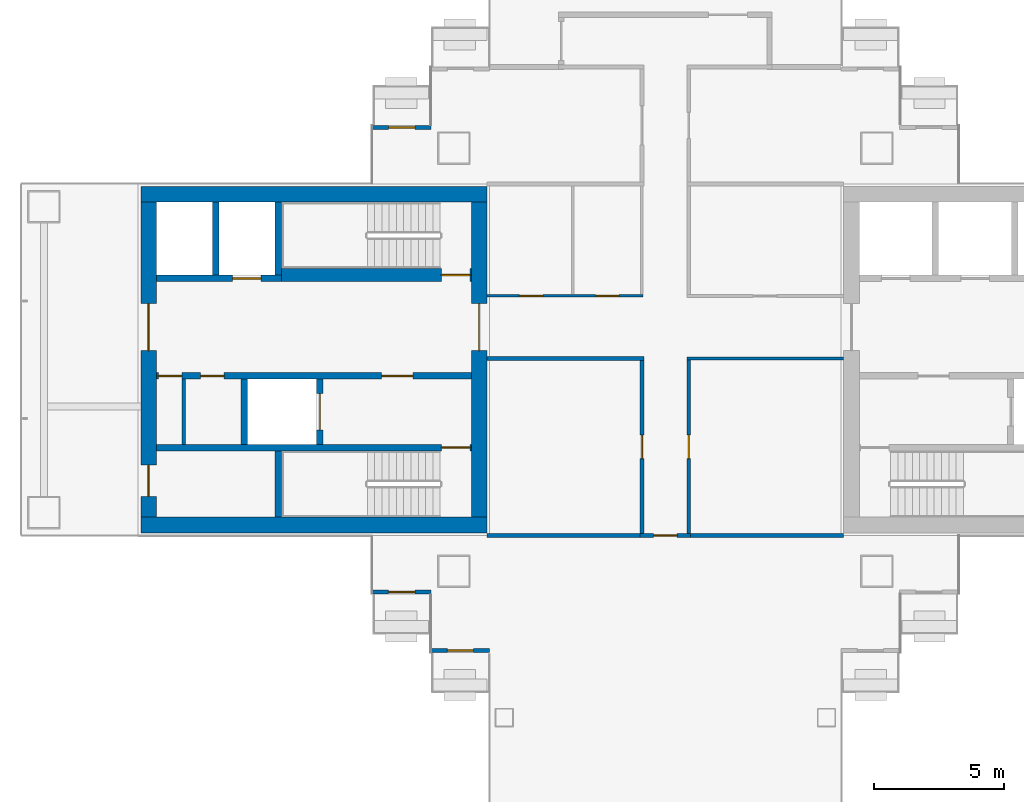
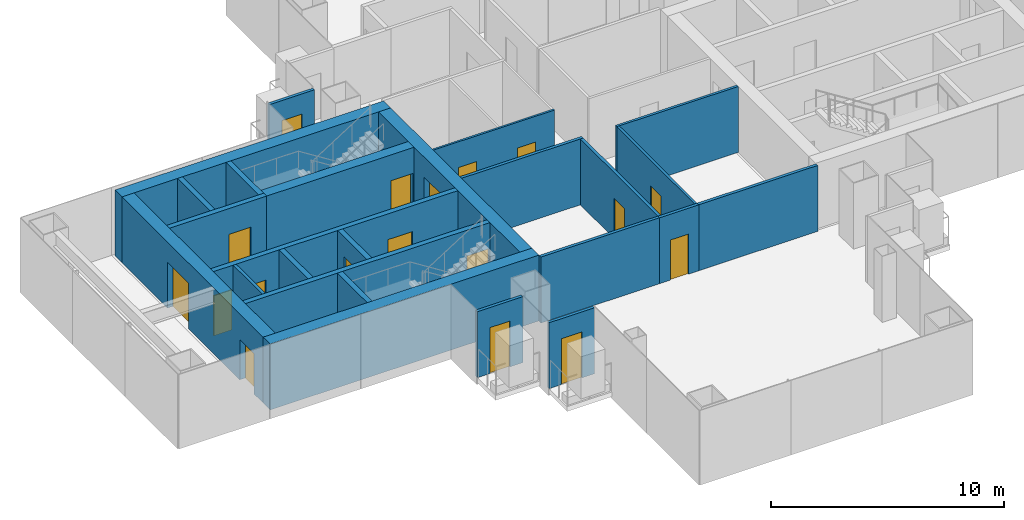
# One storey, part 12 of 20: 25 walls, 18 doors, 18 openings.
"""IFC4 building model written with IfcOpenShell, lengths in metres."""

from ifc_helpers import new_model, si_unit, direction, frame, frame_2d, origin, place, context, subcontext, project, spatial, rectangle, extrude, material, layer, layer_set, type_object, element, fill, save


model = new_model("IFC4")

# Units and contexts
model_context = context("Model", 3, precision=1e-05, world=origin(), true_north=direction((0.0, 1.0)))
body_context = subcontext(model_context, "Body", "Model", "MODEL_VIEW")
ifc_project = project(units=[si_unit("LENGTHUNIT", "METRE"), si_unit("AREAUNIT", "SQUARE_METRE"), si_unit("VOLUMEUNIT", "CUBIC_METRE"), si_unit("PLANEANGLEUNIT", "RADIAN"), si_unit("MASSUNIT", "GRAM", prefix="KILO")], contexts=[model_context])

# Site, building, storey
site_placement = place(None, origin())
site = spatial("IfcSite", under=ifc_project, at=site_placement, CompositionType="ELEMENT")
building_placement = place(site_placement, origin())
building = spatial("IfcBuilding", under=site, at=building_placement, Name="Shamsa Quay Exchange Towers", CompositionType="ELEMENT")
storey_placement = place(building_placement, frame((0.0, 0.0, 124.800048828125)))
storey = spatial("IfcBuildingStorey", under=building, at=storey_placement, Name="L29", CompositionType="ELEMENT", Elevation=124.800048828125)

# Wall, opening, door
ifc_material_1 = material(Name="Aluminium EN AW-6063 T6, black anodised, with black enamelled glass infill", Category="aluminium")
ifc_layer_1 = layer(ifc_material_1, 0.14990234375)
ifc_layer_set_1 = layer_set([ifc_layer_1], Name="BALCONY DOOR BAY WALL 150")
wall_type_1 = type_object("IfcWallType", Name="BALCONY DOOR BAY WALL 150", PredefinedType="SOLIDWALL", material=ifc_layer_set_1)
wall_1_placement = place(storey_placement, frame((-45.0, 8.925048828125, 0.0)))
wall_1 = element("IfcWall", 1, at=wall_1_placement, inside=storey, type_object=wall_type_1, Name="Door bay T1-PKWN L29", PredefinedType="SOLIDWALL", context=body_context, shape_type="SweptSolid", body=[
    extrude(rectangle(XDim=2.25, YDim=0.14990234375, at=frame_2d((1.125, 0.0))), origin(), (0.0, 0.0, 1.0), 3.449951171875),
])
opening_1_placement = place(wall_1_placement, frame((0.625, 0.0, 0.0)))
opening_1 = element("IfcOpeningElement", 2, at=opening_1_placement, cuts=wall_1, Name="Opening XD190", PredefinedType="OPENING", context=body_context, shape_type="SweptSolid", body=[
    extrude(rectangle(XDim=1.0, YDim=2.39990234375, at=frame_2d((0.5, 1.199951171875))), frame((0.0, 0.0849609375, 0.0), z_axis=(0.0, -1.0, 0.0), x_axis=(1.0, 0.0, 0.0)), (0.0, 0.0, 1.0), 0.169921875),
])
ifc_material_2 = material(Name="Aluminium EN AW-6063 T6, black anodised, with laminated glass leaf", Category="aluminium")
door_type_1 = type_object("IfcDoorType", Name="BALCONY DOOR 1000x2400", OperationType="SINGLE_SWING_LEFT", PredefinedType="DOOR", material=ifc_material_2)
door_1_placement = place(opening_1_placement, origin())
door_1 = element("IfcDoor", 3, at=door_1_placement, inside=storey, type_object=door_type_1, Name="Balcony door T1-PKWN L29", OperationType="SINGLE_SWING_RIGHT", OverallHeight=2.39990234375, OverallWidth=1.0, PredefinedType="DOOR", context=body_context, shape_type="SweptSolid", body=[
    extrude(rectangle(XDim=1.0, YDim=2.39990234375, at=frame_2d((0.5, 1.199951171875))), frame((0.0, 0.02490234375, 0.0), z_axis=(0.0, -1.0, 0.0), x_axis=(1.0, 0.0, 0.0)), (0.0, 0.0, 1.0), 0.050048828125),
])
fill(opening_1, door_1)

wall_2_placement = place(storey_placement, frame((-42.75, -8.925048828125, 0.0), z_axis=(0.0, 0.0, 1.0), x_axis=(-1.0, 0.0, 0.0)))
wall_2 = element("IfcWall", 4, at=wall_2_placement, inside=storey, type_object=wall_type_1, Name="Door bay T1-PKWS L29", PredefinedType="SOLIDWALL", context=body_context, shape_type="SweptSolid", body=[
    extrude(rectangle(XDim=2.25, YDim=0.14990234375, at=frame_2d((1.125, 0.0))), origin(), (0.0, 0.0, 1.0), 3.449951171875),
])
opening_2_placement = place(wall_2_placement, frame((0.625, 0.0, 0.0)))
opening_2 = element("IfcOpeningElement", 5, at=opening_2_placement, cuts=wall_2, Name="Opening XD191", PredefinedType="OPENING", context=body_context, shape_type="SweptSolid", body=[
    extrude(rectangle(XDim=1.0, YDim=2.39990234375, at=frame_2d((0.5, 1.199951171875))), frame((0.0, 0.0849609375, 0.0), z_axis=(0.0, -1.0, 0.0), x_axis=(1.0, 0.0, 0.0)), (0.0, 0.0, 1.0), 0.169921875),
])
door_2_placement = place(opening_2_placement, origin())
door_2 = element("IfcDoor", 6, at=door_2_placement, inside=storey, type_object=door_type_1, Name="Balcony door T1-PKWS L29", OperationType="SINGLE_SWING_LEFT", OverallHeight=2.39990234375, OverallWidth=1.0, PredefinedType="DOOR", context=body_context, shape_type="SweptSolid", body=[
    extrude(rectangle(XDim=1.0, YDim=2.39990234375, at=frame_2d((0.5, 1.199951171875))), frame((0.0, 0.02490234375, 0.0), z_axis=(0.0, -1.0, 0.0), x_axis=(1.0, 0.0, 0.0)), (0.0, 0.0, 1.0), 0.050048828125),
])
fill(opening_2, door_2)

wall_3_placement = place(storey_placement, frame((-40.5, -11.175048828125, 0.0), z_axis=(0.0, 0.0, 1.0), x_axis=(-1.0, 0.0, 0.0)))
wall_3 = element("IfcWall", 7, at=wall_3_placement, inside=storey, type_object=wall_type_1, Name="Door bay T1-PKWS L29", PredefinedType="SOLIDWALL", context=body_context, shape_type="SweptSolid", body=[
    extrude(rectangle(XDim=2.25, YDim=0.14990234375, at=frame_2d((1.125, 0.0))), origin(), (0.0, 0.0, 1.0), 3.449951171875),
])
opening_3_placement = place(wall_3_placement, frame((0.625, 0.0, 0.0)))
opening_3 = element("IfcOpeningElement", 8, at=opening_3_placement, cuts=wall_3, Name="Opening XD192", PredefinedType="OPENING", context=body_context, shape_type="SweptSolid", body=[
    extrude(rectangle(XDim=1.0, YDim=2.39990234375, at=frame_2d((0.5, 1.199951171875))), frame((0.0, 0.0849609375, 0.0), z_axis=(0.0, -1.0, 0.0), x_axis=(1.0, 0.0, 0.0)), (0.0, 0.0, 1.0), 0.169921875),
])
door_3_placement = place(opening_3_placement, origin())
door_3 = element("IfcDoor", 9, at=door_3_placement, inside=storey, type_object=door_type_1, Name="Balcony door T1-PKWS L29", OperationType="SINGLE_SWING_RIGHT", OverallHeight=2.39990234375, OverallWidth=1.0, PredefinedType="DOOR", context=body_context, shape_type="SweptSolid", body=[
    extrude(rectangle(XDim=1.0, YDim=2.39990234375, at=frame_2d((0.5, 1.199951171875))), frame((0.0, 0.02490234375, 0.0), z_axis=(0.0, -1.0, 0.0), x_axis=(1.0, 0.0, 0.0)), (0.0, 0.0, 1.0), 0.050048828125),
])
fill(opening_3, door_3)

# Walls
ifc_material_3 = material(Name="Concrete C70/85", Category="concrete")
ifc_layer_2 = layer(ifc_material_3, 0.60009765625)
ifc_layer_set_2 = layer_set([ifc_layer_2], Name="CORE WALL 600 C70/85")
wall_type_2 = type_object("IfcWallType", Name="CORE WALL 600 C70/85", PredefinedType="SHEAR", material=ifc_layer_set_2)
for number, where, z_axis, x_axis, name in (
    (10, (-40.60009765625, -6.35009765625, 0.0), (0.0, 0.0, 1.0), (-1.0, 0.0, 0.0), "Core wall T1B-R13-PS"),
    (11, (-40.60009765625, 6.35009765625, 0.0), (0.0, 0.0, 1.0), (-1.0, 0.0, 0.0), "Core wall T1B-R13-PN"),
):
    element("IfcWall", number, at=place(storey_placement, frame(where, z_axis=z_axis, x_axis=x_axis)), inside=storey, type_object=wall_type_2, Name=name, PredefinedType="SHEAR", context=body_context, shape_type="SweptSolid", body=[
        extrude(rectangle(XDim=13.2998046875, YDim=0.60009765625, at=frame_2d((6.64990234375, 0.0))), origin(), (0.0, 0.0, 1.0), 3.449951171875),
    ])

# Wall, opening, door
wall_4_placement = place(storey_placement, frame((-40.89990234375, -6.050048828125, 0.0), z_axis=(0.0, 0.0, 1.0), x_axis=(0.0, 1.0, 0.0)))
wall_4 = element("IfcWall", 12, at=wall_4_placement, inside=storey, type_object=wall_type_2, Name="Core wall T1B-R13-PF", PredefinedType="SHEAR", context=body_context, shape_type="SweptSolid", body=[
    extrude(rectangle(XDim=12.10009765625, YDim=0.60009765625, at=frame_2d((6.050048828125, 0.0))), origin(), (0.0, 0.0, 1.0), 3.449951171875),
])
opening_4_placement = place(wall_4_placement, frame((6.39990234375, 0.0, 0.0)))
opening_4 = element("IfcOpeningElement", 13, at=opening_4_placement, cuts=wall_4, Name="Opening T1B-R13-LBD01", PredefinedType="OPENING", context=body_context, shape_type="SweptSolid", body=[
    extrude(rectangle(XDim=1.800048828125, YDim=2.39990234375, at=frame_2d((0.89990234375, 1.199951171875))), frame((0.0, 0.31005859375, 0.0), z_axis=(0.0, -1.0, 0.0), x_axis=(1.0, 0.0, 0.0)), (0.0, 0.0, 1.0), 0.6201171875),
])
ifc_material_4 = material(Name="Steel, fire rated", Category="steel")
door_type_2 = type_object("IfcDoorType", Name="LIFT LOBBY DOOR PAIR 1800", OperationType="DOUBLE_DOOR_SINGLE_SWING", PredefinedType="DOOR", material=ifc_material_4)
door_4_placement = place(opening_4_placement, origin())
door_4 = element("IfcDoor", 14, at=door_4_placement, inside=storey, type_object=door_type_2, Name="T1B-R13-LBD01", OperationType="DOUBLE_DOOR_SINGLE_SWING", OverallHeight=2.39990234375, OverallWidth=1.800048828125, PredefinedType="DOOR", context=body_context, shape_type="SweptSolid", body=[
    extrude(rectangle(XDim=1.800048828125, YDim=2.39990234375, at=frame_2d((0.89990234375, 1.199951171875))), frame((0.0, 0.02490234375, 0.0), z_axis=(0.0, -1.0, 0.0), x_axis=(1.0, 0.0, 0.0)), (0.0, 0.0, 1.0), 0.050048828125),
])
fill(opening_4, door_4)

# Wall, openings, doors
wall_5_placement = place(storey_placement, frame((-53.60009765625, -6.050048828125, 0.0), z_axis=(0.0, 0.0, 1.0), x_axis=(0.0, 1.0, 0.0)))
wall_5 = element("IfcWall", 15, at=wall_5_placement, inside=storey, type_object=wall_type_2, Name="Core wall T1B-R13-PB", PredefinedType="SHEAR", context=body_context, shape_type="SweptSolid", body=[
    extrude(rectangle(XDim=12.10009765625, YDim=0.60009765625, at=frame_2d((6.050048828125, 0.0))), origin(), (0.0, 0.0, 1.0), 3.449951171875),
])
opening_5_placement = place(wall_5_placement, frame((0.800048828125, 0.0, 0.0)))
opening_5 = element("IfcOpeningElement", 16, at=opening_5_placement, cuts=wall_5, Name="Opening T1B-R13-RD02", PredefinedType="OPENING", context=body_context, shape_type="SweptSolid", body=[
    extrude(rectangle(XDim=1.199951171875, YDim=2.10009765625, at=frame_2d((0.60009765625, 1.050048828125))), frame((0.0, 0.31005859375, 0.0), z_axis=(0.0, -1.0, 0.0), x_axis=(1.0, 0.0, 0.0)), (0.0, 0.0, 1.0), 0.6201171875),
])
opening_6_placement = place(wall_5_placement, frame((6.39990234375, 0.0, 0.0)))
opening_6 = element("IfcOpeningElement", 17, at=opening_6_placement, cuts=wall_5, Name="Opening T1B-R13-LBD03", PredefinedType="OPENING", context=body_context, shape_type="SweptSolid", body=[
    extrude(rectangle(XDim=1.800048828125, YDim=2.39990234375, at=frame_2d((0.89990234375, 1.199951171875))), frame((0.0, 0.31005859375, 0.0), z_axis=(0.0, -1.0, 0.0), x_axis=(1.0, 0.0, 0.0)), (0.0, 0.0, 1.0), 0.6201171875),
])
door_5_placement = place(opening_6_placement, origin())
door_5 = element("IfcDoor", 18, at=door_5_placement, inside=storey, type_object=door_type_2, Name="T1B-R13-LBD03", OperationType="DOUBLE_DOOR_SINGLE_SWING", OverallHeight=2.39990234375, OverallWidth=1.800048828125, PredefinedType="DOOR", context=body_context, shape_type="SweptSolid", body=[
    extrude(rectangle(XDim=1.800048828125, YDim=2.39990234375, at=frame_2d((0.89990234375, 1.199951171875))), frame((0.0, 0.02490234375, 0.0), z_axis=(0.0, -1.0, 0.0), x_axis=(1.0, 0.0, 0.0)), (0.0, 0.0, 1.0), 0.050048828125),
])
fill(opening_6, door_5)
door_type_3 = type_object("IfcDoorType", Name="RISER ACCESS DOOR 1200", OperationType="SINGLE_SWING_LEFT", PredefinedType="DOOR", material=ifc_material_4)
door_6_placement = place(opening_5_placement, origin())
door_6 = element("IfcDoor", 19, at=door_6_placement, inside=storey, type_object=door_type_3, Name="T1B-R13-RD02", OperationType="SINGLE_SWING_LEFT", OverallHeight=2.10009765625, OverallWidth=1.199951171875, PredefinedType="DOOR", context=body_context, shape_type="SweptSolid", body=[
    extrude(rectangle(XDim=1.199951171875, YDim=2.10009765625, at=frame_2d((0.60009765625, 1.050048828125))), frame((0.0, 0.02490234375, 0.0), z_axis=(0.0, -1.0, 0.0), x_axis=(1.0, 0.0, 0.0)), (0.0, 0.0, 1.0), 0.050048828125),
])
fill(opening_5, door_6)

# Wall
ifc_material_5 = material(Name="Gypsum board on steel studs, EI 60", Category="steel")
ifc_layer_3 = layer(ifc_material_5, 0.14990234375)
ifc_layer_set_3 = layer_set([ifc_layer_3], Name="FIRE PARTITION 150")
wall_type_3 = type_object("IfcWallType", Name="FIRE PARTITION 150", PredefinedType="PARTITIONING", material=ifc_layer_set_3)
wall_6_placement = place(storey_placement, frame((-52.25, -3.25, 0.0), z_axis=(0.0, 0.0, 1.0), x_axis=(0.0, 1.0, 0.0)))
element("IfcWall", 20, at=wall_6_placement, inside=storey, type_object=wall_type_3, Name="Partition T1B-R13-EC0", PredefinedType="PARTITIONING", context=body_context, shape_type="SweptSolid", body=[
    extrude(rectangle(XDim=2.5, YDim=0.14990234375, at=frame_2d((1.25, 0.0))), origin(), (0.0, 0.0, 1.0), 3.449951171875),
])

# Wall, opening, door
ifc_material_6 = material(Name="Laminated fire-resisting glass in a metal frame", Category="glass")
ifc_layer_4 = layer(ifc_material_6, 0.125)
ifc_layer_set_4 = layer_set([ifc_layer_4], Name="Glazed partition 125 mm EI 60")
wall_type_4 = type_object("IfcWallType", Name="Glazed partition 125 mm EI 60", PredefinedType="PARTITIONING", material=ifc_layer_set_4)
wall_7_placement = place(storey_placement, frame((-32.849609375, -0.0126953125, 0.0), z_axis=(0.0, 0.0, 1.0), x_axis=(0.0, -1.0, 0.0)))
wall_7 = element("IfcWall", 21, at=wall_7_placement, inside=storey, type_object=wall_type_4, Name="Partition T1-R13-W02", PredefinedType="PARTITIONING", context=body_context, shape_type="SweptSolid", body=[
    extrude(rectangle(XDim=6.662353515625, YDim=0.125, at=frame_2d((3.3310546875, 0.0))), origin(), (0.0, 0.0, 1.0), 3.449951171875),
])
opening_7_placement = place(wall_7_placement, frame((2.887451171875, 0.0, 0.0)))
opening_7 = element("IfcOpeningElement", 22, at=opening_7_placement, cuts=wall_7, Name="Opening T1-R13-D07", PredefinedType="OPENING", context=body_context, shape_type="SweptSolid", body=[
    extrude(rectangle(XDim=0.89990234375, YDim=2.10009765625, at=frame_2d((0.449951171875, 1.050048828125))), frame((0.0, 0.072509765625, 0.0), z_axis=(0.0, -1.0, 0.0), x_axis=(1.0, 0.0, 0.0)), (0.0, 0.0, 1.0), 0.14501953125),
])
ifc_material_7 = material(Name="Timber door leaf in a metal frame", Category="wood")
door_type_4 = type_object("IfcDoorType", Name="Door 900x2100 FD30S", OperationType="NOTDEFINED", PredefinedType="DOOR", material=ifc_material_7)
door_7_placement = place(opening_7_placement, origin())
door_7 = element("IfcDoor", 23, at=door_7_placement, inside=storey, type_object=door_type_4, Name="Door T1-R13-D07", OperationType="SINGLE_SWING_LEFT", OverallHeight=2.10009765625, OverallWidth=0.89990234375, PredefinedType="DOOR", context=body_context, shape_type="SweptSolid", body=[
    extrude(rectangle(XDim=0.89990234375, YDim=2.10009765625, at=frame_2d((0.449951171875, 1.050048828125))), frame((0.0, 0.02490234375, 0.0), z_axis=(0.0, -1.0, 0.0), x_axis=(1.0, 0.0, 0.0)), (0.0, 0.0, 1.0), 0.050048828125),
])
fill(opening_7, door_7)

# Wall
wall_8_placement = place(storey_placement, frame((-26.89990234375, 0.0498046875, 0.0), z_axis=(0.0, 0.0, 1.0), x_axis=(-1.0, 0.0, 0.0)))
element("IfcWall", 24, at=wall_8_placement, inside=storey, type_object=wall_type_4, Name="Partition T1-R13-W04", PredefinedType="PARTITIONING", context=body_context, shape_type="SweptSolid", body=[
    extrude(rectangle(XDim=6.01220703125, YDim=0.125, at=frame_2d((3.006103515625, 0.0))), origin(), (0.0, 0.0, 1.0), 3.449951171875),
])

# Wall, openings, doors
ifc_material_8 = material(Name="Gypsum board partition on metal studs")
ifc_layer_5 = layer(ifc_material_8, 0.10009765625)
ifc_layer_set_5 = layer_set([ifc_layer_5], Name="Partition 100 mm NOT RATED")
wall_type_5 = type_object("IfcWallType", Name="Partition 100 mm NOT RATED", PredefinedType="PARTITIONING", material=ifc_layer_set_5)
wall_9_placement = place(storey_placement, frame((-40.60009765625, 2.4501953125, 0.0)))
wall_9 = element("IfcWall", 25, at=wall_9_placement, inside=storey, type_object=wall_type_5, Name="Partition T1-R13-W05", PredefinedType="PARTITIONING", context=body_context, shape_type="SweptSolid", body=[
    extrude(rectangle(XDim=5.999755859375, YDim=0.10009765625, at=frame_2d((3.0, 0.0))), origin(), (0.0, 0.0, 1.0), 3.449951171875),
])
opening_8_placement = place(wall_9_placement, frame((1.24365234375, 0.0, 0.0)))
opening_8 = element("IfcOpeningElement", 26, at=opening_8_placement, cuts=wall_9, Name="Opening T1-R13-D01", PredefinedType="OPENING", context=body_context, shape_type="SweptSolid", body=[
    extrude(rectangle(XDim=0.89990234375, YDim=2.10009765625, at=frame_2d((0.449951171875, 1.050048828125))), frame((0.0, 0.06005859375, 0.0), z_axis=(0.0, -1.0, 0.0), x_axis=(1.0, 0.0, 0.0)), (0.0, 0.0, 1.0), 0.1201171875),
])
opening_9_placement = place(wall_9_placement, frame((4.16845703125, 0.0, 0.0)))
opening_9 = element("IfcOpeningElement", 27, at=opening_9_placement, cuts=wall_9, Name="Opening T1-R13-D02", PredefinedType="OPENING", context=body_context, shape_type="SweptSolid", body=[
    extrude(rectangle(XDim=0.89990234375, YDim=2.10009765625, at=frame_2d((0.449951171875, 1.050048828125))), frame((0.0, 0.06005859375, 0.0), z_axis=(0.0, -1.0, 0.0), x_axis=(1.0, 0.0, 0.0)), (0.0, 0.0, 1.0), 0.1201171875),
])
door_type_5 = type_object("IfcDoorType", Name="Door 900x2100 NOT RATED", OperationType="NOTDEFINED", PredefinedType="DOOR", material=ifc_material_7)
door_8_placement = place(opening_8_placement, origin())
door_8 = element("IfcDoor", 28, at=door_8_placement, inside=storey, type_object=door_type_5, Name="Door T1-R13-D01", OperationType="SINGLE_SWING_LEFT", OverallHeight=2.10009765625, OverallWidth=0.89990234375, PredefinedType="DOOR", context=body_context, shape_type="SweptSolid", body=[
    extrude(rectangle(XDim=0.89990234375, YDim=2.10009765625, at=frame_2d((0.449951171875, 1.050048828125))), frame((0.0, 0.02490234375, 0.0), z_axis=(0.0, -1.0, 0.0), x_axis=(1.0, 0.0, 0.0)), (0.0, 0.0, 1.0), 0.050048828125),
])
fill(opening_8, door_8)
door_9_placement = place(opening_9_placement, origin())
door_9 = element("IfcDoor", 29, at=door_9_placement, inside=storey, type_object=door_type_5, Name="Door T1-R13-D02", OperationType="SINGLE_SWING_LEFT", OverallHeight=2.10009765625, OverallWidth=0.89990234375, PredefinedType="DOOR", context=body_context, shape_type="SweptSolid", body=[
    extrude(rectangle(XDim=0.89990234375, YDim=2.10009765625, at=frame_2d((0.449951171875, 1.050048828125))), frame((0.0, 0.02490234375, 0.0), z_axis=(0.0, -1.0, 0.0), x_axis=(1.0, 0.0, 0.0)), (0.0, 0.0, 1.0), 0.050048828125),
])
fill(opening_9, door_9)

# Wall, opening, door
ifc_layer_6 = layer(ifc_material_8, 0.14990234375)
ifc_layer_set_6 = layer_set([ifc_layer_6], Name="Partition 150 mm EI 60")
wall_type_6 = type_object("IfcWallType", Name="Partition 150 mm EI 60", PredefinedType="PARTITIONING", material=ifc_layer_set_6)
wall_10_placement = place(storey_placement, frame((-34.650390625, -6.675048828125, 0.0), z_axis=(0.0, 0.0, 1.0), x_axis=(0.0, 1.0, 0.0)))
wall_10 = element("IfcWall", 30, at=wall_10_placement, inside=storey, type_object=wall_type_6, Name="Partition T1-R13-W07", PredefinedType="PARTITIONING", context=body_context, shape_type="SweptSolid", body=[
    extrude(rectangle(XDim=6.64990234375, YDim=0.14990234375, at=frame_2d((3.324951171875, 0.0))), origin(), (0.0, 0.0, 1.0), 3.449951171875),
])
opening_10_placement = place(wall_10_placement, frame((2.875, 0.0, 0.0)))
opening_10 = element("IfcOpeningElement", 31, at=opening_10_placement, cuts=wall_10, Name="Opening T1-R13-D04", PredefinedType="OPENING", context=body_context, shape_type="SweptSolid", body=[
    extrude(rectangle(XDim=0.89990234375, YDim=2.10009765625, at=frame_2d((0.449951171875, 1.050048828125))), frame((0.0, 0.0849609375, 0.0), z_axis=(0.0, -1.0, 0.0), x_axis=(1.0, 0.0, 0.0)), (0.0, 0.0, 1.0), 0.169921875),
])
door_10_placement = place(opening_10_placement, origin())
door_10 = element("IfcDoor", 32, at=door_10_placement, inside=storey, type_object=door_type_4, Name="Door T1-R13-D04", OperationType="SINGLE_SWING_RIGHT", OverallHeight=2.10009765625, OverallWidth=0.89990234375, PredefinedType="DOOR", context=body_context, shape_type="SweptSolid", body=[
    extrude(rectangle(XDim=0.89990234375, YDim=2.10009765625, at=frame_2d((0.449951171875, 1.050048828125))), frame((0.0, 0.02490234375, 0.0), z_axis=(0.0, -1.0, 0.0), x_axis=(1.0, 0.0, 0.0)), (0.0, 0.0, 1.0), 0.050048828125),
])
fill(opening_10, door_10)

# Wall
wall_11_placement = place(storey_placement, frame((-34.575439453125, 0.0498046875, 0.0), z_axis=(0.0, 0.0, 1.0), x_axis=(-1.0, 0.0, 0.0)))
element("IfcWall", 33, at=wall_11_placement, inside=storey, type_object=wall_type_6, Name="Partition T1-R13-W09", PredefinedType="PARTITIONING", context=body_context, shape_type="SweptSolid", body=[
    extrude(rectangle(XDim=6.024658203125, YDim=0.14990234375, at=frame_2d((3.01220703125, 0.0))), origin(), (0.0, 0.0, 1.0), 3.449951171875),
])

# Wall, opening, door
wall_12_placement = place(storey_placement, frame((-32.787109375, -6.75, 0.0), z_axis=(0.0, 0.0, 1.0), x_axis=(-1.0, 0.0, 0.0)))
wall_12 = element("IfcWall", 34, at=wall_12_placement, inside=storey, type_object=wall_type_6, Name="Partition T1-R13-W16", PredefinedType="PARTITIONING", context=body_context, shape_type="SweptSolid", body=[
    extrude(rectangle(XDim=1.938232421875, YDim=0.14990234375, at=frame_2d((0.96923828125, 0.0))), origin(), (0.0, 0.0, 1.0), 3.449951171875),
])
opening_11_placement = place(wall_12_placement, frame((0.512939453125, 0.0, 0.0)))
opening_11 = element("IfcOpeningElement", 35, at=opening_11_placement, cuts=wall_12, Name="Opening T1-R13-D06", PredefinedType="OPENING", context=body_context, shape_type="SweptSolid", body=[
    extrude(rectangle(XDim=0.89990234375, YDim=2.10009765625, at=frame_2d((0.449951171875, 1.050048828125))), frame((0.0, 0.0849609375, 0.0), z_axis=(0.0, -1.0, 0.0), x_axis=(1.0, 0.0, 0.0)), (0.0, 0.0, 1.0), 0.169921875),
])
door_11_placement = place(opening_11_placement, origin())
door_11 = element("IfcDoor", 36, at=door_11_placement, inside=storey, type_object=door_type_4, Name="Door T1-R13-D06", OperationType="SINGLE_SWING_RIGHT", OverallHeight=2.10009765625, OverallWidth=0.89990234375, PredefinedType="DOOR", context=body_context, shape_type="SweptSolid", body=[
    extrude(rectangle(XDim=0.89990234375, YDim=2.10009765625, at=frame_2d((0.449951171875, 1.050048828125))), frame((0.0, 0.02490234375, 0.0), z_axis=(0.0, -1.0, 0.0), x_axis=(1.0, 0.0, 0.0)), (0.0, 0.0, 1.0), 0.050048828125),
])
fill(opening_11, door_11)

# Walls
wall_13_placement = place(storey_placement, frame((-40.60009765625, -6.75, 0.0)))
element("IfcWall", 37, at=wall_13_placement, inside=storey, type_object=wall_type_6, Name="Partition T1-R13-W20", PredefinedType="PARTITIONING", context=body_context, shape_type="SweptSolid", body=[
    extrude(rectangle(XDim=6.024658203125, YDim=0.14990234375, at=frame_2d((3.01220703125, 0.0))), origin(), (0.0, 0.0, 1.0), 3.449951171875),
])
wall_14_placement = place(storey_placement, frame((-32.912109375, -6.75, 0.0)))
element("IfcWall", 38, at=wall_14_placement, inside=storey, type_object=wall_type_6, Name="Partition T1-R13-W21", PredefinedType="PARTITIONING", context=body_context, shape_type="SweptSolid", body=[
    extrude(rectangle(XDim=6.01220703125, YDim=0.14990234375, at=frame_2d((3.006103515625, 0.0))), origin(), (0.0, 0.0, 1.0), 3.449951171875),
])

# Wall, opening, door
ifc_material_9 = material(Name="Concrete C50/60", Category="concrete")
ifc_layer_7 = layer(ifc_material_9, 0.25)
ifc_layer_set_7 = layer_set([ifc_layer_7], Name="SHAFT WALL 250 C50/60")
wall_type_7 = type_object("IfcWallType", Name="SHAFT WALL 250 C50/60", PredefinedType="SHEAR", material=ifc_layer_set_7)
wall_15_placement = place(storey_placement, frame((-41.199951171875, -3.375, 0.0), z_axis=(0.0, 0.0, 1.0), x_axis=(-1.0, 0.0, 0.0)))
wall_15 = element("IfcWall", 39, at=wall_15_placement, inside=storey, type_object=wall_type_7, Name="Shaft wall T1B-R13-STL", PredefinedType="SHEAR", context=body_context, shape_type="SweptSolid", body=[
    extrude(rectangle(XDim=12.10009765625, YDim=0.25, at=frame_2d((6.050048828125, 0.0))), origin(), (0.0, 0.0, 1.0), 3.449951171875),
])
opening_12_placement = place(wall_15_placement, frame((0.050048828125, 0.0, 0.0)))
opening_12 = element("IfcOpeningElement", 40, at=opening_12_placement, cuts=wall_15, Name="Opening T1B-R13-SD04", PredefinedType="OPENING", context=body_context, shape_type="SweptSolid", body=[
    extrude(rectangle(XDim=1.10009765625, YDim=2.10009765625, at=frame_2d((0.550048828125, 1.050048828125))), frame((0.0, 0.135009765625, 0.0), z_axis=(0.0, -1.0, 0.0), x_axis=(1.0, 0.0, 0.0)), (0.0, 0.0, 1.0), 0.27001953125),
])
door_type_6 = type_object("IfcDoorType", Name="STAIR DOOR 1100", OperationType="SINGLE_SWING_LEFT", PredefinedType="DOOR", material=ifc_material_4)
door_12_placement = place(opening_12_placement, origin())
door_12 = element("IfcDoor", 41, at=door_12_placement, inside=storey, type_object=door_type_6, Name="T1B-R13-SD04", OperationType="SINGLE_SWING_LEFT", OverallHeight=2.10009765625, OverallWidth=1.10009765625, PredefinedType="DOOR", context=body_context, shape_type="SweptSolid", body=[
    extrude(rectangle(XDim=1.10009765625, YDim=2.10009765625, at=frame_2d((0.550048828125, 1.050048828125))), frame((0.0, 0.02490234375, 0.0), z_axis=(0.0, -1.0, 0.0), x_axis=(1.0, 0.0, 0.0)), (0.0, 0.0, 1.0), 0.050048828125),
])
fill(opening_12, door_12)

# Wall
wall_16_placement = place(storey_placement, frame((-48.625, -6.050048828125, 0.0), z_axis=(0.0, 0.0, 1.0), x_axis=(0.0, 1.0, 0.0)))
element("IfcWall", 42, at=wall_16_placement, inside=storey, type_object=wall_type_7, Name="Shaft wall T1B-R13-STF", PredefinedType="SHEAR", context=body_context, shape_type="SweptSolid", body=[
    extrude(rectangle(XDim=2.550048828125, YDim=0.25, at=frame_2d((1.27490234375, 0.0))), origin(), (0.0, 0.0, 1.0), 3.449951171875),
])

# Wall, openings, doors
wall_17_placement = place(storey_placement, frame((-41.199951171875, -0.625, 0.0), z_axis=(0.0, 0.0, 1.0), x_axis=(-1.0, 0.0, 0.0)))
wall_17 = element("IfcWall", 43, at=wall_17_placement, inside=storey, type_object=wall_type_7, Name="Shaft wall T1B-R13-B", PredefinedType="SHEAR", context=body_context, shape_type="SweptSolid", body=[
    extrude(rectangle(XDim=12.10009765625, YDim=0.25, at=frame_2d((6.050048828125, 0.0))), origin(), (0.0, 0.0, 1.0), 3.449951171875),
])
opening_13_placement = place(wall_17_placement, frame((2.25, 0.0, 0.0)))
opening_13 = element("IfcOpeningElement", 44, at=opening_13_placement, cuts=wall_17, Name="Opening T1B-R13-FD05", PredefinedType="OPENING", context=body_context, shape_type="SweptSolid", body=[
    extrude(rectangle(XDim=1.199951171875, YDim=2.10009765625, at=frame_2d((0.60009765625, 1.050048828125))), frame((0.0, 0.135009765625, 0.0), z_axis=(0.0, -1.0, 0.0), x_axis=(1.0, 0.0, 0.0)), (0.0, 0.0, 1.0), 0.27001953125),
])
opening_14_placement = place(wall_17_placement, frame((9.5, 0.0, 0.0)))
opening_14 = element("IfcOpeningElement", 45, at=opening_14_placement, cuts=wall_17, Name="Opening T1B-R13-SV06", PredefinedType="OPENING", context=body_context, shape_type="SweptSolid", body=[
    extrude(rectangle(XDim=0.89990234375, YDim=2.10009765625, at=frame_2d((0.449951171875, 1.050048828125))), frame((0.0, 0.135009765625, 0.0), z_axis=(0.0, -1.0, 0.0), x_axis=(1.0, 0.0, 0.0)), (0.0, 0.0, 1.0), 0.27001953125),
])
opening_15_placement = place(wall_17_placement, frame((11.125, 0.0, 0.0)))
opening_15 = element("IfcOpeningElement", 46, at=opening_15_placement, cuts=wall_17, Name="Opening T1B-R13-SV07", PredefinedType="OPENING", context=body_context, shape_type="SweptSolid", body=[
    extrude(rectangle(XDim=0.89990234375, YDim=2.10009765625, at=frame_2d((0.449951171875, 1.050048828125))), frame((0.0, 0.135009765625, 0.0), z_axis=(0.0, -1.0, 0.0), x_axis=(1.0, 0.0, 0.0)), (0.0, 0.0, 1.0), 0.27001953125),
])
door_type_7 = type_object("IfcDoorType", Name="FIRE SERVICE LOBBY DOOR 1200", OperationType="SINGLE_SWING_LEFT", PredefinedType="DOOR", material=ifc_material_4)
door_13_placement = place(opening_13_placement, origin())
door_13 = element("IfcDoor", 47, at=door_13_placement, inside=storey, type_object=door_type_7, Name="T1B-R13-FD05", OperationType="SINGLE_SWING_LEFT", OverallHeight=2.10009765625, OverallWidth=1.199951171875, PredefinedType="DOOR", context=body_context, shape_type="SweptSolid", body=[
    extrude(rectangle(XDim=1.199951171875, YDim=2.10009765625, at=frame_2d((0.60009765625, 1.050048828125))), frame((0.0, 0.02490234375, 0.0), z_axis=(0.0, -1.0, 0.0), x_axis=(1.0, 0.0, 0.0)), (0.0, 0.0, 1.0), 0.050048828125),
])
fill(opening_13, door_13)
door_type_8 = type_object("IfcDoorType", Name="SERVICE ROOM DOOR 900", OperationType="SINGLE_SWING_LEFT", PredefinedType="DOOR", material=ifc_material_4)
door_14_placement = place(opening_14_placement, origin())
door_14 = element("IfcDoor", 48, at=door_14_placement, inside=storey, type_object=door_type_8, Name="T1B-R13-SV06", OperationType="SINGLE_SWING_RIGHT", OverallHeight=2.10009765625, OverallWidth=0.89990234375, PredefinedType="DOOR", context=body_context, shape_type="SweptSolid", body=[
    extrude(rectangle(XDim=0.89990234375, YDim=2.10009765625, at=frame_2d((0.449951171875, 1.050048828125))), frame((0.0, 0.02490234375, 0.0), z_axis=(0.0, -1.0, 0.0), x_axis=(1.0, 0.0, 0.0)), (0.0, 0.0, 1.0), 0.050048828125),
])
fill(opening_14, door_14)
door_15_placement = place(opening_15_placement, origin())
door_15 = element("IfcDoor", 49, at=door_15_placement, inside=storey, type_object=door_type_8, Name="T1B-R13-SV07", OperationType="SINGLE_SWING_RIGHT", OverallHeight=2.10009765625, OverallWidth=0.89990234375, PredefinedType="DOOR", context=body_context, shape_type="SweptSolid", body=[
    extrude(rectangle(XDim=0.89990234375, YDim=2.10009765625, at=frame_2d((0.449951171875, 1.050048828125))), frame((0.0, 0.02490234375, 0.0), z_axis=(0.0, -1.0, 0.0), x_axis=(1.0, 0.0, 0.0)), (0.0, 0.0, 1.0), 0.050048828125),
])
fill(opening_15, door_15)

# Wall, opening, door
wall_18_placement = place(storey_placement, frame((-47.02490234375, -3.25, 0.0), z_axis=(0.0, 0.0, 1.0), x_axis=(0.0, 1.0, 0.0)))
wall_18 = element("IfcWall", 50, at=wall_18_placement, inside=storey, type_object=wall_type_7, Name="Shaft wall T1B-R13-FFF", PredefinedType="SHEAR", context=body_context, shape_type="SweptSolid", body=[
    extrude(rectangle(XDim=2.5, YDim=0.25, at=frame_2d((1.25, 0.0))), origin(), (0.0, 0.0, 1.0), 3.449951171875),
])
opening_16_placement = place(wall_18_placement, frame((0.550048828125, 0.0, 0.0)))
opening_16 = element("IfcOpeningElement", 51, at=opening_16_placement, cuts=wall_18, Name="Opening T1B-R13-LDG08", PredefinedType="OPENING", context=body_context, shape_type="SweptSolid", body=[
    extrude(rectangle(XDim=1.39990234375, YDim=2.39990234375, at=frame_2d((0.699951171875, 1.199951171875))), frame((0.0, 0.135009765625, 0.0), z_axis=(0.0, -1.0, 0.0), x_axis=(1.0, 0.0, 0.0)), (0.0, 0.0, 1.0), 0.27001953125),
])
door_type_9 = type_object("IfcDoorType", Name="GOODS LIFT LANDING DOOR 1400", OperationType="SLIDING_TO_LEFT", PredefinedType="DOOR", material=ifc_material_4)
door_16_placement = place(opening_16_placement, origin())
door_16 = element("IfcDoor", 52, at=door_16_placement, inside=storey, type_object=door_type_9, Name="T1B-R13-LDG08", OperationType="SLIDING_TO_LEFT", OverallHeight=2.39990234375, OverallWidth=1.39990234375, PredefinedType="DOOR", context=body_context, shape_type="SweptSolid", body=[
    extrude(rectangle(XDim=1.39990234375, YDim=2.39990234375, at=frame_2d((0.699951171875, 1.199951171875))), frame((0.0, 0.02490234375, 0.0), z_axis=(0.0, -1.0, 0.0), x_axis=(1.0, 0.0, 0.0)), (0.0, 0.0, 1.0), 0.050048828125),
])
fill(opening_16, door_16)

# Wall
wall_19_placement = place(storey_placement, frame((-49.925048828125, -3.25, 0.0), z_axis=(0.0, 0.0, 1.0), x_axis=(0.0, 1.0, 0.0)))
element("IfcWall", 53, at=wall_19_placement, inside=storey, type_object=wall_type_7, Name="Shaft wall T1B-R13-FFB", PredefinedType="SHEAR", context=body_context, shape_type="SweptSolid", body=[
    extrude(rectangle(XDim=2.5, YDim=0.25, at=frame_2d((1.25, 0.0))), origin(), (0.0, 0.0, 1.0), 3.449951171875),
])

# Wall, opening, door
wall_20_placement = place(storey_placement, frame((-48.5, 3.125, 0.0), z_axis=(0.0, 0.0, 1.0), x_axis=(-1.0, 0.0, 0.0)))
wall_20 = element("IfcWall", 54, at=wall_20_placement, inside=storey, type_object=wall_type_7, Name="Shaft wall T1B-R13-N2", PredefinedType="SHEAR", context=body_context, shape_type="SweptSolid", body=[
    extrude(rectangle(XDim=4.800048828125, YDim=0.25, at=frame_2d((2.39990234375, 0.0))), origin(), (0.0, 0.0, 1.0), 3.449951171875),
])
opening_17_placement = place(wall_20_placement, frame((0.77490234375, 0.0, 0.0)))
opening_17 = element("IfcOpeningElement", 55, at=opening_17_placement, cuts=wall_20, Name="Opening T1B-R13-LD10", PredefinedType="OPENING", context=body_context, shape_type="SweptSolid", body=[
    extrude(rectangle(XDim=1.10009765625, YDim=2.10009765625, at=frame_2d((0.550048828125, 1.050048828125))), frame((0.0, 0.135009765625, 0.0), z_axis=(0.0, -1.0, 0.0), x_axis=(1.0, 0.0, 0.0)), (0.0, 0.0, 1.0), 0.27001953125),
])
door_type_10 = type_object("IfcDoorType", Name="LANDING DOOR 1100", OperationType="SLIDING_TO_LEFT", PredefinedType="DOOR", material=ifc_material_4)
door_17_placement = place(opening_17_placement, origin())
door_17 = element("IfcDoor", 56, at=door_17_placement, inside=storey, type_object=door_type_10, Name="T1B-R13-LD10", OperationType="SLIDING_TO_LEFT", OverallHeight=2.10009765625, OverallWidth=1.10009765625, PredefinedType="DOOR", context=body_context, shape_type="SweptSolid", body=[
    extrude(rectangle(XDim=1.10009765625, YDim=2.10009765625, at=frame_2d((0.550048828125, 1.050048828125))), frame((0.0, 0.02490234375, 0.0), z_axis=(0.0, -1.0, 0.0), x_axis=(1.0, 0.0, 0.0)), (0.0, 0.0, 1.0), 0.050048828125),
])
fill(opening_17, door_17)

# Walls
for number, where, z_axis, x_axis, name in (
    (57, (-48.625, 3.25, 0.0), (0.0, 0.0, 1.0), (0.0, 1.0, 0.0), "Shaft wall T1B-R13-STF2"),
    (58, (-51.02490234375, 3.25, 0.0), (0.0, 0.0, 1.0), (0.0, 1.0, 0.0), "Shaft wall T1B-R13-D0"),
):
    element("IfcWall", number, at=place(storey_placement, frame(where, z_axis=z_axis, x_axis=x_axis)), inside=storey, type_object=wall_type_7, Name=name, PredefinedType="SHEAR", context=body_context, shape_type="SweptSolid", body=[
        extrude(rectangle(XDim=2.800048828125, YDim=0.25, at=frame_2d((1.39990234375, 0.0))), origin(), (0.0, 0.0, 1.0), 3.449951171875),
    ])

# Wall, opening, door
ifc_layer_8 = layer(ifc_material_9, 0.5)
ifc_layer_set_8 = layer_set([ifc_layer_8], Name="SHAFT WALL 500 C50/60")
wall_type_8 = type_object("IfcWallType", Name="SHAFT WALL 500 C50/60", PredefinedType="SHEAR", material=ifc_layer_set_8)
wall_21_placement = place(storey_placement, frame((-48.5, 3.25, 0.0)))
wall_21 = element("IfcWall", 59, at=wall_21_placement, inside=storey, type_object=wall_type_8, Name="Shaft wall T1B-R13-N", PredefinedType="SHEAR", context=body_context, shape_type="SweptSolid", body=[
    extrude(rectangle(XDim=7.300048828125, YDim=0.5, at=frame_2d((3.64990234375, 0.0))), origin(), (0.0, 0.0, 1.0), 3.449951171875),
])
opening_18_placement = place(wall_21_placement, frame((6.14990234375, 0.0, 0.0)))
opening_18 = element("IfcOpeningElement", 60, at=opening_18_placement, cuts=wall_21, Name="Opening T1B-R13-SD09", PredefinedType="OPENING", context=body_context, shape_type="SweptSolid", body=[
    extrude(rectangle(XDim=1.10009765625, YDim=2.10009765625, at=frame_2d((0.550048828125, 1.050048828125))), frame((0.0, 0.260009765625, 0.0), z_axis=(0.0, -1.0, 0.0), x_axis=(1.0, 0.0, 0.0)), (0.0, 0.0, 1.0), 0.52001953125),
])
door_18_placement = place(opening_18_placement, origin())
door_18 = element("IfcDoor", 61, at=door_18_placement, inside=storey, type_object=door_type_6, Name="T1B-R13-SD09", OperationType="SINGLE_SWING_RIGHT", OverallHeight=2.10009765625, OverallWidth=1.10009765625, PredefinedType="DOOR", context=body_context, shape_type="SweptSolid", body=[
    extrude(rectangle(XDim=1.10009765625, YDim=2.10009765625, at=frame_2d((0.550048828125, 1.050048828125))), frame((0.0, 0.02490234375, 0.0), z_axis=(0.0, -1.0, 0.0), x_axis=(1.0, 0.0, 0.0)), (0.0, 0.0, 1.0), 0.050048828125),
])
fill(opening_18, door_18)

save(model, "model.ifc")
